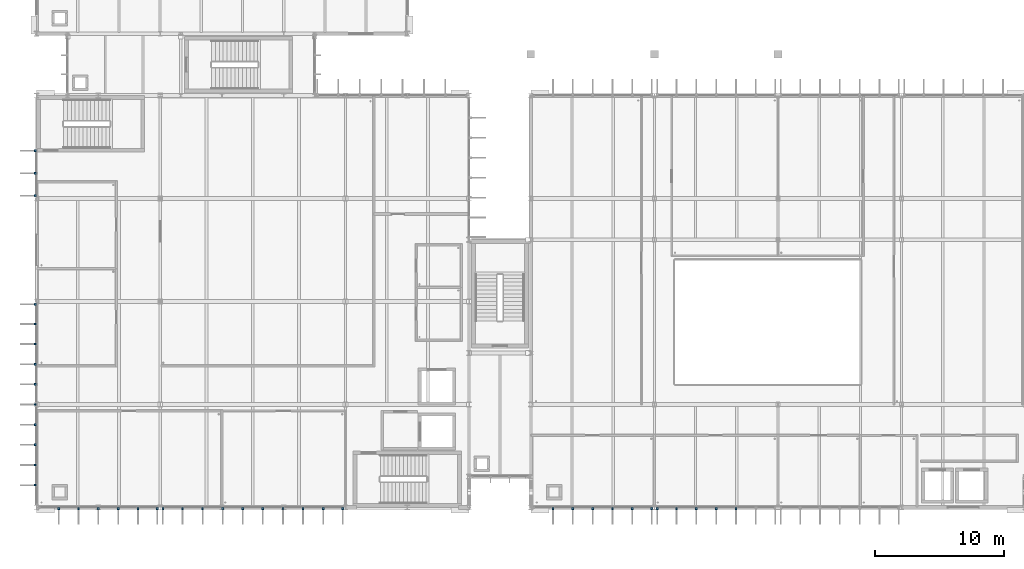
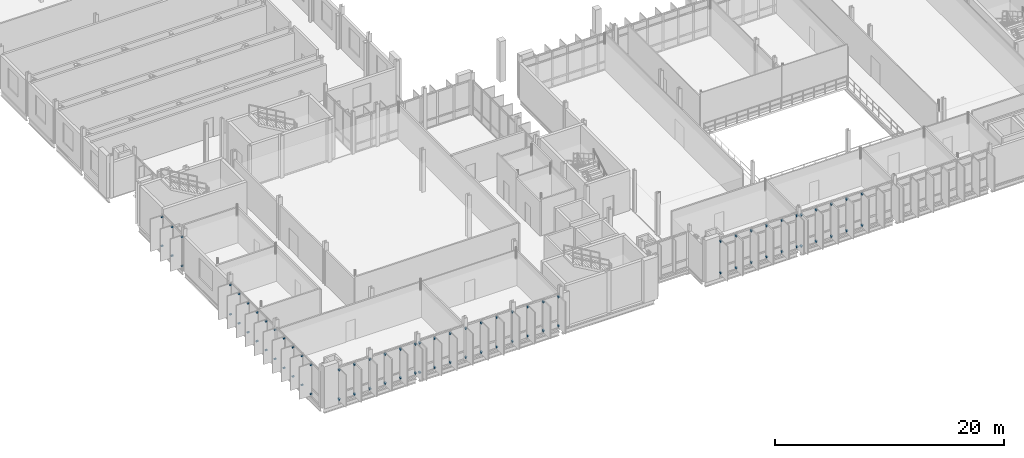
# One storey, part 93 of 110: 80 discrete accessories.
"""IFC4 building model written with IfcOpenShell, lengths in metres."""

from ifc_helpers import new_model, si_unit, direction, frame, origin, origin_2d, place, context, subcontext, project, spatial, rectangle, extrude, material, type_object, element, save


model = new_model("IFC4")

# Units and contexts
model_context = context("Model", 3, precision=1e-05, world=origin(), true_north=direction((0.0, 1.0)))
body_context = subcontext(model_context, "Body", "Model", "MODEL_VIEW")
ifc_project = project(units=[si_unit("LENGTHUNIT", "METRE"), si_unit("AREAUNIT", "SQUARE_METRE"), si_unit("VOLUMEUNIT", "CUBIC_METRE"), si_unit("PLANEANGLEUNIT", "RADIAN"), si_unit("MASSUNIT", "GRAM", prefix="KILO")], contexts=[model_context])

# Site, building, storey
site_placement = place(None, origin())
site = spatial("IfcSite", under=ifc_project, at=site_placement, CompositionType="ELEMENT")
building_placement = place(site_placement, origin())
building = spatial("IfcBuilding", under=site, at=building_placement, Name="Dunescarp Central Library", CompositionType="ELEMENT")
storey_placement = place(building_placement, frame((0.0, 0.0, 9.60009765625)))
storey = spatial("IfcBuildingStorey", under=building, at=storey_placement, Name="L02", CompositionType="ELEMENT", Elevation=9.60009765625)

# Discrete accessories
ifc_material = material(Name="Stainless steel Grade 316L", Category="steel")
discrete_accessory_type = type_object("IfcDiscreteAccessoryType", Name="ARC-ACC-BRK", PredefinedType="BRACKET", material=ifc_material)
for number, where, z_axis, x_axis, name in (
    (1, (9.385009765625, 4.719970703125, 0.27685546875), (0.0, 0.0, 1.0), (0.0, -1.0, 0.0), "Fin bracket BRK-FIN-L02-0077-B"),
    (2, (9.385009765625, 4.719970703125, 3.35498046875), (0.0, 0.0, 1.0), (0.0, -1.0, 0.0), "Fin bracket BRK-FIN-L02-0077-T"),
    (3, (7.883056640625, 4.719970703125, 0.2900390625), (0.0, 0.0, 1.0), (0.0, -1.0, 0.0), "Fin bracket BRK-FIN-L02-0078-B"),
    (4, (7.883056640625, 4.719970703125, 3.35498046875), (0.0, 0.0, 1.0), (0.0, -1.0, 0.0), "Fin bracket BRK-FIN-L02-0078-T"),
    (5, (6.342041015625, 4.719970703125, 0.27392578125), (0.0, 0.0, 1.0), (0.0, -1.0, 0.0), "Fin bracket BRK-FIN-L02-0079-B"),
    (6, (6.342041015625, 4.719970703125, 3.35498046875), (0.0, 0.0, 1.0), (0.0, -1.0, 0.0), "Fin bracket BRK-FIN-L02-0079-T"),
    (7, (4.800048828125, 4.719970703125, 0.23291015625), (0.0, 0.0, 1.0), (0.0, -1.0, 0.0), "Fin bracket BRK-FIN-L02-0080-B"),
    (8, (4.800048828125, 4.719970703125, 3.35498046875), (0.0, 0.0, 1.0), (0.0, -1.0, 0.0), "Fin bracket BRK-FIN-L02-0080-T"),
    (9, (3.258056640625, 4.719970703125, 0.18994140625), (0.0, 0.0, 1.0), (0.0, -1.0, 0.0), "Fin bracket BRK-FIN-L02-0081-B"),
    (10, (3.258056640625, 4.719970703125, 3.34375), (0.0, 0.0, 1.0), (0.0, -1.0, 0.0), "Fin bracket BRK-FIN-L02-0081-T"),
    (11, (1.717041015625, 4.719970703125, 0.18994140625), (0.0, 0.0, 1.0), (0.0, -1.0, 0.0), "Fin bracket BRK-FIN-L02-0082-B"),
    (12, (1.717041015625, 4.719970703125, 3.2939453125), (0.0, 0.0, 1.0), (0.0, -1.0, 0.0), "Fin bracket BRK-FIN-L02-0082-T"),
    (13, (23.784912109375, 4.719970703125, 0.27685546875), (0.0, 0.0, 1.0), (0.0, -1.0, 0.0), "Fin bracket BRK-FIN-L02-0083-B"),
    (14, (23.784912109375, 4.719970703125, 3.35498046875), (0.0, 0.0, 1.0), (0.0, -1.0, 0.0), "Fin bracket BRK-FIN-L02-0083-T"),
    (15, (22.263916015625, 4.719970703125, 0.2900390625), (0.0, 0.0, 1.0), (0.0, -1.0, 0.0), "Fin bracket BRK-FIN-L02-0084-B"),
    (16, (22.263916015625, 4.719970703125, 3.35498046875), (0.0, 0.0, 1.0), (0.0, -1.0, 0.0), "Fin bracket BRK-FIN-L02-0084-T"),
    (17, (20.702880859375, 4.719970703125, 0.27392578125), (0.0, 0.0, 1.0), (0.0, -1.0, 0.0), "Fin bracket BRK-FIN-L02-0085-B"),
    (18, (20.702880859375, 4.719970703125, 3.35498046875), (0.0, 0.0, 1.0), (0.0, -1.0, 0.0), "Fin bracket BRK-FIN-L02-0085-T"),
    (19, (19.14208984375, 4.719970703125, 0.23291015625), (0.0, 0.0, 1.0), (0.0, -1.0, 0.0), "Fin bracket BRK-FIN-L02-0086-B"),
    (20, (19.14208984375, 4.719970703125, 3.35498046875), (0.0, 0.0, 1.0), (0.0, -1.0, 0.0), "Fin bracket BRK-FIN-L02-0086-T"),
    (21, (17.5810546875, 4.719970703125, 0.18994140625), (0.0, 0.0, 1.0), (0.0, -1.0, 0.0), "Fin bracket BRK-FIN-L02-0087-B"),
    (22, (17.5810546875, 4.719970703125, 3.34375), (0.0, 0.0, 1.0), (0.0, -1.0, 0.0), "Fin bracket BRK-FIN-L02-0087-T"),
    (23, (16.01904296875, 4.719970703125, 0.18994140625), (0.0, 0.0, 1.0), (0.0, -1.0, 0.0), "Fin bracket BRK-FIN-L02-0088-B"),
    (24, (16.01904296875, 4.719970703125, 3.2939453125), (0.0, 0.0, 1.0), (0.0, -1.0, 0.0), "Fin bracket BRK-FIN-L02-0088-T"),
    (25, (14.4580078125, 4.719970703125, 0.18994140625), (0.0, 0.0, 1.0), (0.0, -1.0, 0.0), "Fin bracket BRK-FIN-L02-0089-B"),
    (26, (14.4580078125, 4.719970703125, 3.2607421875), (0.0, 0.0, 1.0), (0.0, -1.0, 0.0), "Fin bracket BRK-FIN-L02-0089-T"),
    (27, (12.89697265625, 4.719970703125, 0.18994140625), (0.0, 0.0, 1.0), (0.0, -1.0, 0.0), "Fin bracket BRK-FIN-L02-0090-B"),
    (28, (12.89697265625, 4.719970703125, 3.2568359375), (0.0, 0.0, 1.0), (0.0, -1.0, 0.0), "Fin bracket BRK-FIN-L02-0090-T"),
    (29, (11.3359375, 4.719970703125, 0.18994140625), (0.0, 0.0, 1.0), (0.0, -1.0, 0.0), "Fin bracket BRK-FIN-L02-0091-B"),
    (30, (11.3359375, 4.719970703125, 3.28076171875), (0.0, 0.0, 1.0), (0.0, -1.0, 0.0), "Fin bracket BRK-FIN-L02-0091-T"),
    (31, (9.81494140625, 4.719970703125, 0.18994140625), (0.0, 0.0, 1.0), (0.0, -1.0, 0.0), "Fin bracket BRK-FIN-L02-0092-B"),
    (32, (9.81494140625, 4.719970703125, 3.3271484375), (0.0, 0.0, 1.0), (0.0, -1.0, 0.0), "Fin bracket BRK-FIN-L02-0092-T"),
    (33, (-0.080078125, 6.5400390625, 0.2900390625), (0.0, 0.0, 1.0), (-1.0, 0.0, 0.0), "Fin bracket BRK-FIN-L02-0100-B"),
    (34, (-0.080078125, 6.5400390625, 3.35498046875), (0.0, 0.0, 1.0), (-1.0, 0.0, 0.0), "Fin bracket BRK-FIN-L02-0100-T"),
    (35, (-0.080078125, 8.10498046875, 0.27392578125), (0.0, 0.0, 1.0), (-1.0, 0.0, 0.0), "Fin bracket BRK-FIN-L02-0101-B"),
    (36, (-0.080078125, 8.10498046875, 3.35498046875), (0.0, 0.0, 1.0), (-1.0, 0.0, 0.0), "Fin bracket BRK-FIN-L02-0101-T"),
    (37, (-0.080078125, 9.669921875, 0.23291015625), (0.0, 0.0, 1.0), (-1.0, 0.0, 0.0), "Fin bracket BRK-FIN-L02-0102-B"),
    (38, (-0.080078125, 9.669921875, 3.35498046875), (0.0, 0.0, 1.0), (-1.0, 0.0, 0.0), "Fin bracket BRK-FIN-L02-0102-T"),
    (39, (-0.080078125, 11.235107421875, 0.18994140625), (0.0, 0.0, 1.0), (-1.0, 0.0, 0.0), "Fin bracket BRK-FIN-L02-0103-B"),
    (40, (-0.080078125, 11.235107421875, 3.34375), (0.0, 0.0, 1.0), (-1.0, 0.0, 0.0), "Fin bracket BRK-FIN-L02-0103-T"),
    (41, (-0.080078125, 12.800048828125, 0.18994140625), (0.0, 0.0, 1.0), (-1.0, 0.0, 0.0), "Fin bracket BRK-FIN-L02-0104-B"),
    (42, (-0.080078125, 12.800048828125, 3.2939453125), (0.0, 0.0, 1.0), (-1.0, 0.0, 0.0), "Fin bracket BRK-FIN-L02-0104-T"),
    (43, (-0.080078125, 14.364990234375, 0.18994140625), (0.0, 0.0, 1.0), (-1.0, 0.0, 0.0), "Fin bracket BRK-FIN-L02-0105-B"),
    (44, (-0.080078125, 14.364990234375, 3.2607421875), (0.0, 0.0, 1.0), (-1.0, 0.0, 0.0), "Fin bracket BRK-FIN-L02-0105-T"),
    (45, (-0.080078125, 15.929931640625, 0.18994140625), (0.0, 0.0, 1.0), (-1.0, 0.0, 0.0), "Fin bracket BRK-FIN-L02-0106-B"),
    (46, (-0.080078125, 15.929931640625, 3.2568359375), (0.0, 0.0, 1.0), (-1.0, 0.0, 0.0), "Fin bracket BRK-FIN-L02-0106-T"),
    (47, (-0.080078125, 17.4951171875, 0.18994140625), (0.0, 0.0, 1.0), (-1.0, 0.0, 0.0), "Fin bracket BRK-FIN-L02-0107-B"),
    (48, (-0.080078125, 17.4951171875, 3.28076171875), (0.0, 0.0, 1.0), (-1.0, 0.0, 0.0), "Fin bracket BRK-FIN-L02-0107-T"),
    (49, (-0.080078125, 19.06005859375, 0.18994140625), (0.0, 0.0, 1.0), (-1.0, 0.0, 0.0), "Fin bracket BRK-FIN-L02-0108-B"),
    (50, (-0.080078125, 19.06005859375, 3.3271484375), (0.0, 0.0, 1.0), (-1.0, 0.0, 0.0), "Fin bracket BRK-FIN-L02-0108-T"),
    (51, (-0.080078125, 20.5849609375, 0.2158203125), (0.0, 0.0, 1.0), (-1.0, 0.0, 0.0), "Fin bracket BRK-FIN-L02-0109-B"),
    (52, (-0.080078125, 20.5849609375, 3.35498046875), (0.0, 0.0, 1.0), (-1.0, 0.0, 0.0), "Fin bracket BRK-FIN-L02-0109-T"),
    (53, (-0.080078125, 29.014892578125, 0.27685546875), (0.0, 0.0, 1.0), (-1.0, 0.0, 0.0), "Fin bracket BRK-FIN-L02-0110-B"),
    (54, (-0.080078125, 29.014892578125, 3.35498046875), (0.0, 0.0, 1.0), (-1.0, 0.0, 0.0), "Fin bracket BRK-FIN-L02-0110-T"),
    (55, (-0.080078125, 30.761962890625, 0.2900390625), (0.0, 0.0, 1.0), (-1.0, 0.0, 0.0), "Fin bracket BRK-FIN-L02-0111-B"),
    (56, (-0.080078125, 30.761962890625, 3.35498046875), (0.0, 0.0, 1.0), (-1.0, 0.0, 0.0), "Fin bracket BRK-FIN-L02-0111-T"),
    (57, (-0.080078125, 32.510009765625, 0.27392578125), (0.0, 0.0, 1.0), (-1.0, 0.0, 0.0), "Fin bracket BRK-FIN-L02-0112-B"),
    (58, (-0.080078125, 32.510009765625, 3.35498046875), (0.0, 0.0, 1.0), (-1.0, 0.0, 0.0), "Fin bracket BRK-FIN-L02-0112-T"),
    (59, (47.784912109375, 4.719970703125, 0.27685546875), (0.0, 0.0, 1.0), (0.0, -1.0, 0.0), "Fin bracket BRK-FIN-L02-0378-B"),
    (60, (47.784912109375, 4.719970703125, 3.5947265625), (0.0, 0.0, 1.0), (0.0, -1.0, 0.0), "Fin bracket BRK-FIN-L02-0378-T"),
    (61, (46.282958984375, 4.719970703125, 0.2900390625), (0.0, 0.0, 1.0), (0.0, -1.0, 0.0), "Fin bracket BRK-FIN-L02-0379-B"),
    (62, (46.282958984375, 4.719970703125, 3.5947265625), (0.0, 0.0, 1.0), (0.0, -1.0, 0.0), "Fin bracket BRK-FIN-L02-0379-T"),
    (63, (44.741943359375, 4.719970703125, 0.27392578125), (0.0, 0.0, 1.0), (0.0, -1.0, 0.0), "Fin bracket BRK-FIN-L02-0380-B"),
    (64, (44.741943359375, 4.719970703125, 3.5947265625), (0.0, 0.0, 1.0), (0.0, -1.0, 0.0), "Fin bracket BRK-FIN-L02-0380-T"),
    (65, (43.199951171875, 4.719970703125, 0.23291015625), (0.0, 0.0, 1.0), (0.0, -1.0, 0.0), "Fin bracket BRK-FIN-L02-0381-B"),
    (66, (43.199951171875, 4.719970703125, 3.5947265625), (0.0, 0.0, 1.0), (0.0, -1.0, 0.0), "Fin bracket BRK-FIN-L02-0381-T"),
    (67, (41.657958984375, 4.719970703125, 0.18994140625), (0.0, 0.0, 1.0), (0.0, -1.0, 0.0), "Fin bracket BRK-FIN-L02-0382-B"),
    (68, (41.657958984375, 4.719970703125, 3.583984375), (0.0, 0.0, 1.0), (0.0, -1.0, 0.0), "Fin bracket BRK-FIN-L02-0382-T"),
    (69, (40.116943359375, 4.719970703125, 0.18994140625), (0.0, 0.0, 1.0), (0.0, -1.0, 0.0), "Fin bracket BRK-FIN-L02-0383-B"),
    (70, (40.116943359375, 4.719970703125, 3.5341796875), (0.0, 0.0, 1.0), (0.0, -1.0, 0.0), "Fin bracket BRK-FIN-L02-0383-T"),
    (71, (54.342041015625, 4.719970703125, 0.27392578125), (0.0, 0.0, 1.0), (0.0, -1.0, 0.0), "Fin bracket BRK-FIN-L02-0386-B"),
    (72, (54.342041015625, 4.719970703125, 3.5947265625), (0.0, 0.0, 1.0), (0.0, -1.0, 0.0), "Fin bracket BRK-FIN-L02-0386-T"),
    (73, (52.800048828125, 4.719970703125, 0.23291015625), (0.0, 0.0, 1.0), (0.0, -1.0, 0.0), "Fin bracket BRK-FIN-L02-0387-B"),
    (74, (52.800048828125, 4.719970703125, 3.5947265625), (0.0, 0.0, 1.0), (0.0, -1.0, 0.0), "Fin bracket BRK-FIN-L02-0387-T"),
    (75, (51.258056640625, 4.719970703125, 0.18994140625), (0.0, 0.0, 1.0), (0.0, -1.0, 0.0), "Fin bracket BRK-FIN-L02-0388-B"),
    (76, (51.258056640625, 4.719970703125, 3.583984375), (0.0, 0.0, 1.0), (0.0, -1.0, 0.0), "Fin bracket BRK-FIN-L02-0388-T"),
    (77, (49.717041015625, 4.719970703125, 0.18994140625), (0.0, 0.0, 1.0), (0.0, -1.0, 0.0), "Fin bracket BRK-FIN-L02-0389-B"),
    (78, (49.717041015625, 4.719970703125, 3.5341796875), (0.0, 0.0, 1.0), (0.0, -1.0, 0.0), "Fin bracket BRK-FIN-L02-0389-T"),
    (79, (48.215087890625, 4.719970703125, 0.18994140625), (0.0, 0.0, 1.0), (0.0, -1.0, 0.0), "Fin bracket BRK-FIN-L02-0390-B"),
    (80, (48.215087890625, 4.719970703125, 3.5009765625), (0.0, 0.0, 1.0), (0.0, -1.0, 0.0), "Fin bracket BRK-FIN-L02-0390-T"),
):
    element("IfcDiscreteAccessory", number, at=place(storey_placement, frame(where, z_axis=z_axis, x_axis=x_axis)), inside=storey, type_object=discrete_accessory_type, Name=name, PredefinedType="BRACKET", context=body_context, shape_type="SweptSolid", body=[
        extrude(rectangle(XDim=0.219970703125, YDim=0.139892578125, at=origin_2d()), origin(), (0.0, 0.0, 1.0), 0.139892578125),
    ])

save(model, "model.ifc")
